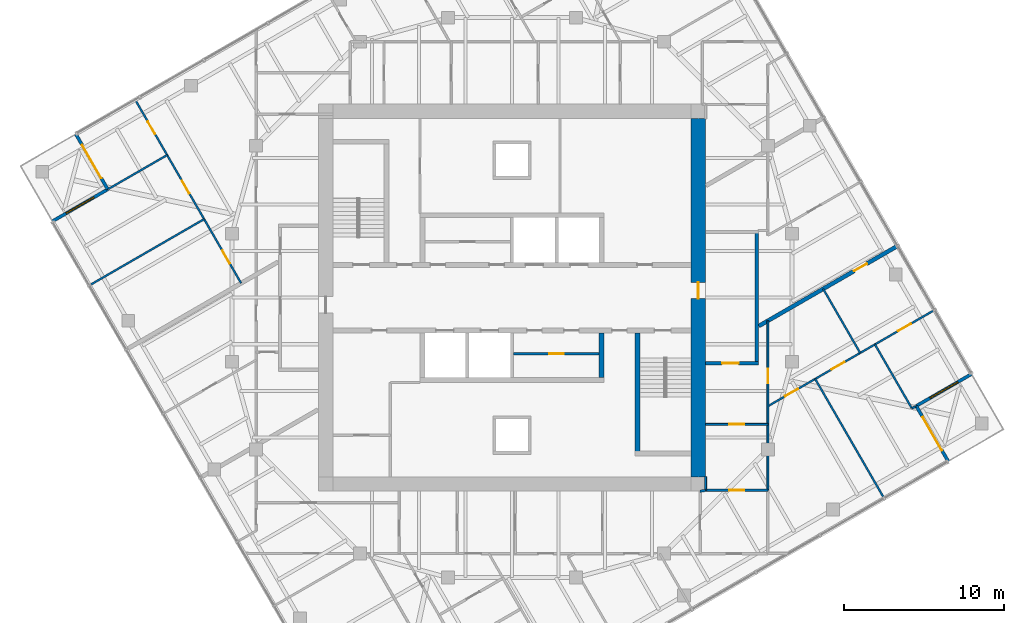
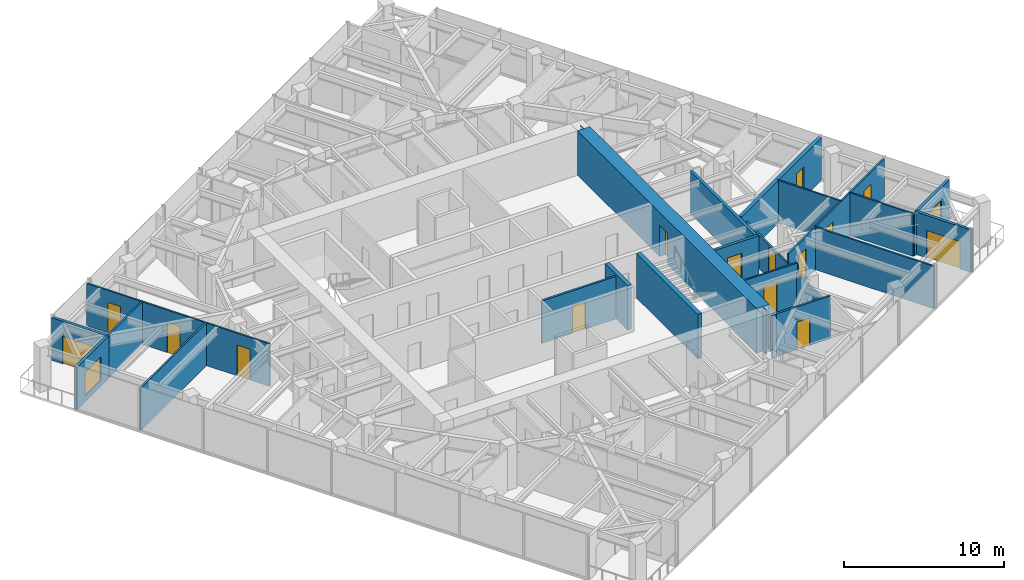
# One storey, part 9 of 12: 24 walls, 15 doors, 2 windows, 17 openings.
"""IFC4 building model written with IfcOpenShell, lengths in metres."""

from ifc_helpers import new_model, si_unit, direction, frame, frame_2d, origin, place, context, subcontext, project, spatial, polyline, rectangle, outline, extrude, material, layer, layer_set, type_object, element, fill, save


model = new_model("IFC4")

# Units and contexts
model_context = context("Model", 3, precision=1e-05, world=origin(), true_north=direction((0.0, 1.0)))
body_context = subcontext(model_context, "Body", "Model", "MODEL_VIEW")
ifc_project = project(units=[si_unit("LENGTHUNIT", "METRE"), si_unit("AREAUNIT", "SQUARE_METRE"), si_unit("VOLUMEUNIT", "CUBIC_METRE"), si_unit("PLANEANGLEUNIT", "RADIAN"), si_unit("MASSUNIT", "GRAM", prefix="KILO")], contexts=[model_context])

# Site, building, storey
site_placement = place(None, origin())
site = spatial("IfcSite", under=ifc_project, at=site_placement, CompositionType="ELEMENT")
building_placement = place(site_placement, origin())
building = spatial("IfcBuilding", under=site, at=building_placement, Name="Torsade Residences", CompositionType="ELEMENT")
storey_placement = place(building_placement, frame((0.0, 0.0, 221.800048828125)))
storey = spatial("IfcBuildingStorey", under=building, at=storey_placement, Name="L61", CompositionType="ELEMENT", Elevation=221.800048828125)

# Walls
ifc_material_1 = material(Name="Concrete 80 MPa", Category="concrete")
ifc_layer_1 = layer(ifc_material_1, 0.300048828125)
ifc_layer_set_1 = layer_set([ifc_layer_1], Name="Concrete 80 MPa")
wall_type_1 = type_object("IfcWallType", Name="CORE INTERNAL WALL 300", PredefinedType="SHEAR", material=ifc_layer_set_1)
wall_1_placement = place(storey_placement, frame((45.60009765625, 27.800048828125, 0.0), z_axis=(0.0, 0.0, 1.0), x_axis=(0.0, -1.0, 0.0)))
element("IfcWall", 1, at=wall_1_placement, inside=storey, type_object=wall_type_1, Name="Core wall DS0 L61", PredefinedType="SHEAR", context=body_context, shape_type="SweptSolid", body=[
    extrude(rectangle(XDim=2.800048828125, YDim=0.300048828125, at=frame_2d((1.39990234375, 0.0))), origin(), (0.0, 0.0, 1.0), 3.39990234375),
])
wall_2_placement = place(storey_placement, frame((47.85009765625, 27.800048828125, 0.0), z_axis=(0.0, 0.0, 1.0), x_axis=(0.0, -1.0, 0.0)))
element("IfcWall", 2, at=wall_2_placement, inside=storey, type_object=wall_type_1, Name="Core wall ST2W L61", PredefinedType="SHEAR", context=body_context, shape_type="SweptSolid", body=[
    extrude(rectangle(XDim=7.699951171875, YDim=0.300048828125, at=frame_2d((3.85009765625, 0.0))), origin(), (0.0, 0.0, 1.0), 3.39990234375),
])

# Wall, opening, door
ifc_material_2 = material(Name="Concrete 80 MPa", Category="concrete")
ifc_layer_2 = layer(ifc_material_2, 0.89990234375)
ifc_layer_set_2 = layer_set([ifc_layer_2], Name="Concrete 80 MPa")
wall_type_2 = type_object("IfcWallType", Name="CORE WALL 900", PredefinedType="SHEAR", material=ifc_layer_set_2)
wall_3_placement = place(storey_placement, frame((51.64990234375, 18.800048828125, 0.0), z_axis=(0.0, 0.0, 1.0), x_axis=(0.0, 1.0, 0.0)))
wall_3 = element("IfcWall", 3, at=wall_3_placement, inside=storey, type_object=wall_type_2, Name="Core wall E L61", PredefinedType="SHEAR", context=body_context, shape_type="SweptSolid", body=[
    extrude(outline(polyline([(0.0, -0.449951171875), (22.39990234375, -0.449951171875), (22.39990234375, -0.02490234375), (22.849853515625, -0.02490234375), (22.849853515625, 0.02490234375), (22.39990234375, 0.02490234375), (22.39990234375, 0.449951171875), (0.0, 0.449951171875), (0.0, 0.02490234375), (-0.449951171875, 0.02490234375), (-0.449951171875, -0.02490234375), (0.0, -0.02490234375), (0.0, -0.449951171875)])), origin(), (0.0, 0.0, 1.0), 3.39990234375),
])
opening_1_placement = place(wall_3_placement, frame((11.139892578125, 0.0, 0.0)))
opening_1 = element("IfcOpeningElement", 4, at=opening_1_placement, cuts=wall_3, Name="Opening D04", PredefinedType="OPENING", context=body_context, shape_type="SweptSolid", body=[
    extrude(rectangle(XDim=1.02001953125, YDim=2.39990234375, at=frame_2d((0.510009765625, 1.199951171875))), frame((0.0, 0.4599609375, 0.0), z_axis=(0.0, -1.0, 0.0), x_axis=(1.0, 0.0, 0.0)), (0.0, 0.0, 1.0), 0.919921875),
])
ifc_material_3 = material(Name="Steel-framed fire door", Category="steel")
door_type_1 = type_object("IfcDoorType", Name="LOBBY SMOKE DOOR 1020x2400", OperationType="NOTDEFINED", PredefinedType="DOOR", material=ifc_material_3)
door_1_placement = place(opening_1_placement, origin())
door_1 = element("IfcDoor", 5, at=door_1_placement, inside=storey, type_object=door_type_1, Name="Lift lobby door E L61", OperationType="SINGLE_SWING_LEFT", OverallHeight=2.39990234375, OverallWidth=1.02001953125, PredefinedType="DOOR", context=body_context, shape_type="SweptSolid", body=[
    extrude(rectangle(XDim=1.02001953125, YDim=2.39990234375, at=frame_2d((0.510009765625, 1.199951171875))), frame((0.0, 0.02490234375, 0.0), z_axis=(0.0, -1.0, 0.0), x_axis=(1.0, 0.0, 0.0)), (0.0, 0.0, 1.0), 0.050048828125),
])
fill(opening_1, door_1)

# Wall
ifc_material_4 = material(Name="Plasterboard on steel stud", Category="steel")
ifc_layer_3 = layer(ifc_material_4, 0.199951171875)
ifc_layer_set_3 = layer_set([ifc_layer_3], Name="Plasterboard on steel stud")
wall_type_3 = type_object("IfcWallType", Name="CORRIDOR WALL 200", PredefinedType="PARTITIONING", material=ifc_layer_set_3)
wall_4_placement = place(storey_placement, frame((55.300048828125, 25.89990234375, 0.0), z_axis=(0.0, 0.0, 1.0), x_axis=(0.0, 1.0, 0.0)))
element("IfcWall", 6, at=wall_4_placement, inside=storey, type_object=wall_type_3, Name="Corridor wall L61", PredefinedType="PARTITIONING", context=body_context, shape_type="SweptSolid", body=[
    extrude(rectangle(XDim=8.2001953125, YDim=0.199951171875, at=frame_2d((4.10009765625, 0.0))), origin(), (0.0, 0.0, 1.0), 3.25),
])

# Wall, opening, door
wall_5_placement = place(storey_placement, frame((52.10009765625, 25.89990234375, 0.0), z_axis=(0.0, 0.0, 1.0), x_axis=(1.0, 0.0, 0.0)))
wall_5 = element("IfcWall", 7, at=wall_5_placement, inside=storey, type_object=wall_type_3, Name="Corridor wall L61", PredefinedType="PARTITIONING", context=body_context, shape_type="SweptSolid", body=[
    extrude(rectangle(XDim=3.2998046875, YDim=0.199951171875, at=frame_2d((1.64990234375, 0.0))), origin(), (0.0, 0.0, 1.0), 3.25),
])
opening_2_placement = place(wall_5_placement, frame((1.0400390625, 0.0, 0.0)))
opening_2 = element("IfcOpeningElement", 8, at=opening_2_placement, cuts=wall_5, Name="Opening D01", PredefinedType="OPENING", context=body_context, shape_type="SweptSolid", body=[
    extrude(rectangle(XDim=1.02001953125, YDim=2.340087890625, at=frame_2d((0.510009765625, 1.169921875))), frame((0.0, 0.10986328125, 0.0), z_axis=(0.0, -1.0, 0.0), x_axis=(1.0, 0.0, 0.0)), (0.0, 0.0, 1.0), 0.219970703125),
])
ifc_material_5 = material(Name="Solid-core timber fire door", Category="wood")
door_type_2 = type_object("IfcDoorType", Name="APARTMENT ENTRY DOOR 1020x2340", OperationType="NOTDEFINED", PredefinedType="DOOR", material=ifc_material_5)
door_2_placement = place(opening_2_placement, origin())
door_2 = element("IfcDoor", 9, at=door_2_placement, inside=storey, type_object=door_type_2, Name="Door Residential corridor to Kitchen and dining", OperationType="SINGLE_SWING_LEFT", OverallHeight=2.340087890625, OverallWidth=1.02001953125, PredefinedType="DOOR", context=body_context, shape_type="SweptSolid", body=[
    extrude(rectangle(XDim=1.02001953125, YDim=2.340087890625, at=frame_2d((0.510009765625, 1.169921875))), frame((0.0, 0.02490234375, 0.0), z_axis=(0.0, -1.0, 0.0), x_axis=(1.0, 0.0, 0.0)), (0.0, 0.0, 1.0), 0.050048828125),
])
fill(opening_2, door_2)

ifc_material_6 = material(Name="Plasterboard on steel stud", Category="steel")
ifc_layer_4 = layer(ifc_material_6, 0.1201171875)
ifc_layer_set_4 = layer_set([ifc_layer_4], Name="Plasterboard on steel stud")
wall_type_4 = type_object("IfcWallType", Name="PARTITION 120", PredefinedType="PARTITIONING", material=ifc_layer_set_4)
wall_6_placement = place(storey_placement, frame((56.0, 22.08251953125, 0.0), z_axis=(0.0, 0.0, 1.0), x_axis=(-1.0, 0.0, 0.0)))
wall_6 = element("IfcWall", 10, at=wall_6_placement, inside=storey, type_object=wall_type_4, Name="Partition L61", PredefinedType="PARTITIONING", context=body_context, shape_type="SweptSolid", body=[
    extrude(rectangle(XDim=3.89990234375, YDim=0.1201171875, at=frame_2d((1.949951171875, 0.0))), origin(), (0.0, 0.0, 1.0), 3.25),
])
opening_3_placement = place(wall_6_placement, frame((1.489990234375, 0.0, 0.0)))
opening_3 = element("IfcOpeningElement", 11, at=opening_3_placement, cuts=wall_6, Name="Opening D02", PredefinedType="OPENING", context=body_context, shape_type="SweptSolid", body=[
    extrude(rectangle(XDim=0.919921875, YDim=2.340087890625, at=frame_2d((0.4599609375, 1.169921875))), frame((0.0, 0.070068359375, 0.0), z_axis=(0.0, -1.0, 0.0), x_axis=(1.0, 0.0, 0.0)), (0.0, 0.0, 1.0), 0.14013671875),
])
ifc_material_7 = material(Name="Hollow-core timber door", Category="wood")
door_type_3 = type_object("IfcDoorType", Name="INTERNAL DOOR 920x2340", OperationType="NOTDEFINED", PredefinedType="DOOR", material=ifc_material_7)
door_3_placement = place(opening_3_placement, origin())
door_3 = element("IfcDoor", 12, at=door_3_placement, inside=storey, type_object=door_type_3, Name="Door Kitchen and dining to Study", OperationType="SINGLE_SWING_LEFT", OverallHeight=2.340087890625, OverallWidth=0.919921875, PredefinedType="DOOR", context=body_context, shape_type="SweptSolid", body=[
    extrude(rectangle(XDim=0.919921875, YDim=2.340087890625, at=frame_2d((0.4599609375, 1.169921875))), frame((0.0, 0.02490234375, 0.0), z_axis=(0.0, -1.0, 0.0), x_axis=(1.0, 0.0, 0.0)), (0.0, 0.0, 1.0), 0.050048828125),
])
fill(opening_3, door_3)

wall_7_placement = place(storey_placement, frame((56.0, 28.556640625, 0.0), z_axis=(0.0, 0.0, 1.0), x_axis=(0.0, -1.0, 0.0)))
wall_7 = element("IfcWall", 13, at=wall_7_placement, inside=storey, type_object=wall_type_4, Name="Partition L61", PredefinedType="PARTITIONING", context=body_context, shape_type="SweptSolid", body=[
    extrude(rectangle(XDim=10.6005859375, YDim=0.1201171875, at=frame_2d((5.30029296875, 0.0))), origin(), (0.0, 0.0, 1.0), 2.550048828125),
])
opening_4_placement = place(wall_7_placement, frame((2.989013671875, 0.0, 0.0)))
opening_4 = element("IfcOpeningElement", 14, at=opening_4_placement, cuts=wall_7, Name="Opening D02", PredefinedType="OPENING", context=body_context, shape_type="SweptSolid", body=[
    extrude(rectangle(XDim=0.919921875, YDim=2.340087890625, at=frame_2d((0.4599609375, 1.169921875))), frame((0.0, 0.070068359375, 0.0), z_axis=(0.0, -1.0, 0.0), x_axis=(1.0, 0.0, 0.0)), (0.0, 0.0, 1.0), 0.14013671875),
])
door_4_placement = place(opening_4_placement, origin())
door_4 = element("IfcDoor", 15, at=door_4_placement, inside=storey, type_object=door_type_3, Name="Door Kitchen and dining to Living room 2", OperationType="SINGLE_SWING_RIGHT", OverallHeight=2.340087890625, OverallWidth=0.919921875, PredefinedType="DOOR", context=body_context, shape_type="SweptSolid", body=[
    extrude(rectangle(XDim=0.919921875, YDim=2.340087890625, at=frame_2d((0.4599609375, 1.169921875))), frame((0.0, 0.02490234375, 0.0), z_axis=(0.0, -1.0, 0.0), x_axis=(1.0, 0.0, 0.0)), (0.0, 0.0, 1.0), 0.050048828125),
])
fill(opening_4, door_4)

# Walls
wall_8_placement = place(storey_placement, frame((52.10009765625, 17.9560546875, 0.0), z_axis=(0.0, 0.0, 1.0), x_axis=(0.0, 1.0, 0.0)))
element("IfcWall", 16, at=wall_8_placement, inside=storey, type_object=wall_type_4, Name="Partition L61", PredefinedType="PARTITIONING", context=body_context, shape_type="SweptSolid", body=[
    extrude(rectangle(XDim=0.864013671875, YDim=0.1201171875, at=frame_2d((0.43212890625, 0.0))), origin(), (0.0, 0.0, 1.0), 3.25),
])
wall_9_placement = place(storey_placement, frame((58.95361328125, 24.92138671875, 0.0), z_axis=(0.0, 0.0, 1.0), x_axis=(0.49999898161, -0.866025991751, 0.0)))
element("IfcWall", 17, at=wall_9_placement, inside=storey, type_object=wall_type_4, Name="Partition L61", PredefinedType="PARTITIONING", context=body_context, shape_type="SweptSolid", body=[
    extrude(rectangle(XDim=8.5849609375, YDim=0.1201171875, at=frame_2d((4.29248046875, 0.0))), origin(), (0.0, 0.0, 1.0), 3.25),
])

# Wall, openings, doors
wall_10_placement = place(storey_placement, frame((56.0, 23.216064453125, 0.0), z_axis=(0.0, 0.0, 1.0), x_axis=(0.866023917076, 0.500002575046, 0.0)))
wall_10 = element("IfcWall", 18, at=wall_10_placement, inside=storey, type_object=wall_type_4, Name="Partition L61", PredefinedType="PARTITIONING", context=body_context, shape_type="SweptSolid", body=[
    extrude(rectangle(XDim=11.99560546875, YDim=0.1201171875, at=frame_2d((5.997802734375, 0.0))), origin(), (0.0, 0.0, 1.0), 3.25),
])
opening_5_placement = place(wall_10_placement, frame((1.245361328125, 0.0, 0.0)))
opening_5 = element("IfcOpeningElement", 19, at=opening_5_placement, cuts=wall_10, Name="Opening D02", PredefinedType="OPENING", context=body_context, shape_type="SweptSolid", body=[
    extrude(rectangle(XDim=0.919921875, YDim=2.340087890625, at=frame_2d((0.4599609375, 1.169921875))), frame((0.0, 0.070068359375, 0.0), z_axis=(0.0, -1.0, 0.0), x_axis=(1.0, 0.0, 0.0)), (0.0, 0.0, 1.0), 0.14013671875),
])
opening_6_placement = place(wall_10_placement, frame((4.59912109375, 0.0, 0.0)))
opening_6 = element("IfcOpeningElement", 20, at=opening_6_placement, cuts=wall_10, Name="Opening D02", PredefinedType="OPENING", context=body_context, shape_type="SweptSolid", body=[
    extrude(rectangle(XDim=0.919921875, YDim=2.340087890625, at=frame_2d((0.4599609375, 1.169921875))), frame((0.0, 0.070068359375, 0.0), z_axis=(0.0, -1.0, 0.0), x_axis=(1.0, 0.0, 0.0)), (0.0, 0.0, 1.0), 0.14013671875),
])
opening_7_placement = place(wall_10_placement, frame((9.394287109375, 0.0, 0.0)))
opening_7 = element("IfcOpeningElement", 21, at=opening_7_placement, cuts=wall_10, Name="Opening D02", PredefinedType="OPENING", context=body_context, shape_type="SweptSolid", body=[
    extrude(rectangle(XDim=0.919921875, YDim=2.340087890625, at=frame_2d((0.4599609375, 1.169921875))), frame((0.0, 0.070068359375, 0.0), z_axis=(0.0, -1.0, 0.0), x_axis=(1.0, 0.0, 0.0)), (0.0, 0.0, 1.0), 0.14013671875),
])
door_5_placement = place(opening_5_placement, origin())
door_5 = element("IfcDoor", 22, at=door_5_placement, inside=storey, type_object=door_type_3, Name="Door Living room 2 to Principal bedroom", OperationType="SINGLE_SWING_RIGHT", OverallHeight=2.340087890625, OverallWidth=0.919921875, PredefinedType="DOOR", context=body_context, shape_type="SweptSolid", body=[
    extrude(rectangle(XDim=0.919921875, YDim=2.340087890625, at=frame_2d((0.4599609375, 1.169921875))), frame((0.0, 0.02490234375, 0.0), z_axis=(0.0, -1.0, 0.0), x_axis=(1.0, 0.0, 0.0)), (0.0, 0.0, 1.0), 0.050048828125),
])
fill(opening_5, door_5)
door_6_placement = place(opening_6_placement, origin())
door_6 = element("IfcDoor", 23, at=door_6_placement, inside=storey, type_object=door_type_3, Name="Door Living room 2 to Bedroom 2", OperationType="SINGLE_SWING_RIGHT", OverallHeight=2.340087890625, OverallWidth=0.919921875, PredefinedType="DOOR", context=body_context, shape_type="SweptSolid", body=[
    extrude(rectangle(XDim=0.919921875, YDim=2.340087890625, at=frame_2d((0.4599609375, 1.169921875))), frame((0.0, 0.02490234375, 0.0), z_axis=(0.0, -1.0, 0.0), x_axis=(1.0, 0.0, 0.0)), (0.0, 0.0, 1.0), 0.050048828125),
])
fill(opening_6, door_6)
door_7_placement = place(opening_7_placement, origin())
door_7 = element("IfcDoor", 24, at=door_7_placement, inside=storey, type_object=door_type_3, Name="Door Study 2 to Media room 2", OperationType="SINGLE_SWING_LEFT", OverallHeight=2.340087890625, OverallWidth=0.919921875, PredefinedType="DOOR", context=body_context, shape_type="SweptSolid", body=[
    extrude(rectangle(XDim=0.919921875, YDim=2.340087890625, at=frame_2d((0.4599609375, 1.169921875))), frame((0.0, 0.02490234375, 0.0), z_axis=(0.0, -1.0, 0.0), x_axis=(1.0, 0.0, 0.0)), (0.0, 0.0, 1.0), 0.050048828125),
])
fill(opening_7, door_7)

# Walls
wall_11_placement = place(storey_placement, frame((62.688232421875, 27.07763671875, 0.0), z_axis=(0.0, 0.0, 1.0), x_axis=(0.500007885066, -0.866020851292, 0.0)))
element("IfcWall", 25, at=wall_11_placement, inside=storey, type_object=wall_type_4, Name="Partition L61", PredefinedType="PARTITIONING", context=body_context, shape_type="SweptSolid", body=[
    extrude(rectangle(XDim=4.615234375, YDim=0.1201171875, at=frame_2d((2.3076171875, 0.0))), origin(), (0.0, 0.0, 1.0), 3.25),
])
wall_12_placement = place(storey_placement, frame((65.009521484375, 23.0771484375, 0.0), z_axis=(0.0, 0.0, 1.0), x_axis=(0.865829262097, 0.500339573586, 0.0)))
element("IfcWall", 26, at=wall_12_placement, inside=storey, type_object=wall_type_4, Name="Partition L61", PredefinedType="PARTITIONING", context=body_context, shape_type="SweptSolid", body=[
    extrude(rectangle(XDim=0.262451171875, YDim=0.1201171875, at=frame_2d((0.13134765625, 0.0))), origin(), (0.0, 0.0, 1.0), 3.25),
])
wall_13_placement = place(storey_placement, frame((61.765625, 26.544921875, 0.0), z_axis=(0.0, 0.0, 1.0), x_axis=(-0.499999662836, 0.866025598446, 0.0)))
element("IfcWall", 27, at=wall_13_placement, inside=storey, type_object=wall_type_4, Name="Partition L61", PredefinedType="PARTITIONING", context=body_context, shape_type="SweptSolid", body=[
    extrude(rectangle(XDim=4.625, YDim=0.1201171875, at=frame_2d((2.3125, 0.0))), origin(), (0.0, 0.0, 1.0), 3.25),
])

# Wall, openings, doors
wall_14_placement = place(storey_placement, frame((23.06689453125, 30.904541015625, 0.0), z_axis=(0.0, 0.0, 1.0), x_axis=(-0.499999220117, 0.86602585405, 0.0)))
wall_14 = element("IfcWall", 28, at=wall_14_placement, inside=storey, type_object=wall_type_4, Name="Partition L61", PredefinedType="PARTITIONING", context=body_context, shape_type="SweptSolid", body=[
    extrude(rectangle(XDim=13.2099609375, YDim=0.1201171875, at=frame_2d((6.60498046875, 0.0))), origin(), (0.0, 0.0, 1.0), 3.25),
])
opening_8_placement = place(wall_14_placement, frame((6.4775390625, 0.0, 0.0)))
opening_8 = element("IfcOpeningElement", 29, at=opening_8_placement, cuts=wall_14, Name="Opening D02", PredefinedType="OPENING", context=body_context, shape_type="SweptSolid", body=[
    extrude(rectangle(XDim=0.919921875, YDim=2.340087890625, at=frame_2d((0.4599609375, 1.169921875))), frame((0.0, 0.070068359375, 0.0), z_axis=(0.0, -1.0, 0.0), x_axis=(1.0, 0.0, 0.0)), (0.0, 0.0, 1.0), 0.14013671875),
])
opening_9_placement = place(wall_14_placement, frame((1.427490234375, 0.0, 0.0)))
opening_9 = element("IfcOpeningElement", 30, at=opening_9_placement, cuts=wall_14, Name="Opening D02", PredefinedType="OPENING", context=body_context, shape_type="SweptSolid", body=[
    extrude(rectangle(XDim=0.919921875, YDim=2.340087890625, at=frame_2d((0.4599609375, 1.169921875))), frame((0.0, 0.070068359375, 0.0), z_axis=(0.0, -1.0, 0.0), x_axis=(1.0, 0.0, 0.0)), (0.0, 0.0, 1.0), 0.14013671875),
])
opening_10_placement = place(wall_14_placement, frame((10.76513671875, 0.0, 0.0)))
opening_10 = element("IfcOpeningElement", 31, at=opening_10_placement, cuts=wall_14, Name="Opening D02", PredefinedType="OPENING", context=body_context, shape_type="SweptSolid", body=[
    extrude(rectangle(XDim=0.919921875, YDim=2.340087890625, at=frame_2d((0.4599609375, 1.169921875))), frame((0.0, 0.070068359375, 0.0), z_axis=(0.0, -1.0, 0.0), x_axis=(1.0, 0.0, 0.0)), (0.0, 0.0, 1.0), 0.14013671875),
])
door_8_placement = place(opening_8_placement, origin())
door_8 = element("IfcDoor", 32, at=door_8_placement, inside=storey, type_object=door_type_3, Name="Door Living room to Bedroom 4", OperationType="SINGLE_SWING_RIGHT", OverallHeight=2.340087890625, OverallWidth=0.919921875, PredefinedType="DOOR", context=body_context, shape_type="SweptSolid", body=[
    extrude(rectangle(XDim=0.919921875, YDim=2.340087890625, at=frame_2d((0.4599609375, 1.169921875))), frame((0.0, 0.02490234375, 0.0), z_axis=(0.0, -1.0, 0.0), x_axis=(1.0, 0.0, 0.0)), (0.0, 0.0, 1.0), 0.050048828125),
])
fill(opening_8, door_8)
door_9_placement = place(opening_9_placement, origin())
door_9 = element("IfcDoor", 33, at=door_9_placement, inside=storey, type_object=door_type_3, Name="Door Living room to Bedroom 3", OperationType="SINGLE_SWING_LEFT", OverallHeight=2.340087890625, OverallWidth=0.919921875, PredefinedType="DOOR", context=body_context, shape_type="SweptSolid", body=[
    extrude(rectangle(XDim=0.919921875, YDim=2.340087890625, at=frame_2d((0.4599609375, 1.169921875))), frame((0.0, 0.02490234375, 0.0), z_axis=(0.0, -1.0, 0.0), x_axis=(1.0, 0.0, 0.0)), (0.0, 0.0, 1.0), 0.050048828125),
])
fill(opening_9, door_9)
door_10_placement = place(opening_10_placement, origin())
door_10 = element("IfcDoor", 34, at=door_10_placement, inside=storey, type_object=door_type_3, Name="Door Living room to Family room 2", OperationType="SINGLE_SWING_LEFT", OverallHeight=2.340087890625, OverallWidth=0.919921875, PredefinedType="DOOR", context=body_context, shape_type="SweptSolid", body=[
    extrude(rectangle(XDim=0.919921875, YDim=2.340087890625, at=frame_2d((0.4599609375, 1.169921875))), frame((0.0, 0.02490234375, 0.0), z_axis=(0.0, -1.0, 0.0), x_axis=(1.0, 0.0, 0.0)), (0.0, 0.0, 1.0), 0.050048828125),
])
fill(opening_10, door_10)

# Walls
wall_15_placement = place(storey_placement, frame((13.611572265625, 30.7861328125, 0.0), z_axis=(0.0, 0.0, 1.0), x_axis=(0.866032284491, 0.499988082077, 0.0)))
element("IfcWall", 35, at=wall_15_placement, inside=storey, type_object=wall_type_4, Name="Partition L61", PredefinedType="PARTITIONING", context=body_context, shape_type="SweptSolid", body=[
    extrude(rectangle(XDim=8.247802734375, YDim=0.1201171875, at=frame_2d((4.1240234375, 0.0))), origin(), (0.0, 0.0, 1.0), 3.25),
])
wall_16_placement = place(storey_placement, frame((14.76318359375, 36.79150390625, 0.0), z_axis=(0.0, 0.0, 1.0), x_axis=(0.86603819212, 0.4999778493, 0.0)))
element("IfcWall", 36, at=wall_16_placement, inside=storey, type_object=wall_type_4, Name="Partition L61", PredefinedType="PARTITIONING", context=body_context, shape_type="SweptSolid", body=[
    extrude(rectangle(XDim=4.247802734375, YDim=0.1201171875, at=frame_2d((2.1240234375, 0.0))), origin(), (0.0, 0.0, 1.0), 3.25),
])

# Wall, opening, door
ifc_material_8 = material(Name="Masonry-lined stud party wall", Category="masonry")
ifc_layer_5 = layer(ifc_material_8, 0.25)
ifc_layer_set_5 = layer_set([ifc_layer_5], Name="Masonry-lined stud party wall")
wall_type_5 = type_object("IfcWallType", Name="PARTY WALL 250", PredefinedType="PARTITIONING", material=ifc_layer_set_5)
wall_17_placement = place(storey_placement, frame((64.110595703125, 33.2392578125, 0.0), z_axis=(0.0, 0.0, 1.0), x_axis=(-0.866024190901, -0.50000210077, 0.0)))
wall_17 = element("IfcWall", 37, at=wall_17_placement, inside=storey, type_object=wall_type_5, Name="Party wall L61", PredefinedType="PARTITIONING", context=body_context, shape_type="SweptSolid", body=[
    extrude(rectangle(XDim=10.02587890625, YDim=0.25, at=frame_2d((5.012939453125, 0.0))), origin(), (0.0, 0.0, 1.0), 3.25),
])
opening_11_placement = place(wall_17_placement, frame((2.22900390625, 0.0, 0.0)))
opening_11 = element("IfcOpeningElement", 38, at=opening_11_placement, cuts=wall_17, Name="Opening D02", PredefinedType="OPENING", context=body_context, shape_type="SweptSolid", body=[
    extrude(rectangle(XDim=0.919921875, YDim=2.340087890625, at=frame_2d((0.4599609375, 1.169921875))), frame((0.0, 0.135009765625, 0.0), z_axis=(0.0, -1.0, 0.0), x_axis=(1.0, 0.0, 0.0)), (0.0, 0.0, 1.0), 0.27001953125),
])
door_11_placement = place(opening_11_placement, origin())
door_11 = element("IfcDoor", 39, at=door_11_placement, inside=storey, type_object=door_type_3, Name="Door Living room 2 to Study 2", OperationType="SINGLE_SWING_RIGHT", OverallHeight=2.340087890625, OverallWidth=0.919921875, PredefinedType="DOOR", context=body_context, shape_type="SweptSolid", body=[
    extrude(rectangle(XDim=0.919921875, YDim=2.340087890625, at=frame_2d((0.4599609375, 1.169921875))), frame((0.0, 0.02490234375, 0.0), z_axis=(0.0, -1.0, 0.0), x_axis=(1.0, 0.0, 0.0)), (0.0, 0.0, 1.0), 0.050048828125),
])
fill(opening_11, door_11)

ifc_material_9 = material(Name="Reinforced blockwork", Category="masonry")
ifc_layer_6 = layer(ifc_material_9, 0.14990234375)
ifc_layer_set_6 = layer_set([ifc_layer_6], Name="Reinforced blockwork")
wall_type_6 = type_object("IfcWallType", Name="SERVICE ROOM WALL 150", PredefinedType="SOLIDWALL", material=ifc_layer_set_6)
wall_18_placement = place(storey_placement, frame((56.0, 17.9560546875, 0.0), z_axis=(0.0, 0.0, 1.0), x_axis=(-1.0, 0.0, 0.0)))
wall_18 = element("IfcWall", 40, at=wall_18_placement, inside=storey, type_object=wall_type_6, Name="Service room wall L61", PredefinedType="SOLIDWALL", context=body_context, shape_type="SweptSolid", body=[
    extrude(rectangle(XDim=3.89990234375, YDim=0.14990234375, at=frame_2d((1.949951171875, 0.0))), origin(), (0.0, 0.0, 1.0), 3.25),
])
opening_12_placement = place(wall_18_placement, frame((1.489990234375, 0.0, 0.0)))
opening_12 = element("IfcOpeningElement", 41, at=opening_12_placement, cuts=wall_18, Name="Opening D02L", PredefinedType="OPENING", context=body_context, shape_type="SweptSolid", body=[
    extrude(rectangle(XDim=0.919921875, YDim=2.10009765625, at=frame_2d((0.4599609375, 1.050048828125))), frame((0.0, 0.0849609375, 0.0), z_axis=(0.0, -1.0, 0.0), x_axis=(1.0, 0.0, 0.0)), (0.0, 0.0, 1.0), 0.169921875),
])
ifc_material_10 = material(Name="Hollow-core timber door", Category="wood")
door_type_4 = type_object("IfcDoorType", Name="INTERNAL DOOR 920x2100", OperationType="NOTDEFINED", PredefinedType="DOOR", material=ifc_material_10)
door_12_placement = place(opening_12_placement, origin())
door_12 = element("IfcDoor", 42, at=door_12_placement, inside=storey, type_object=door_type_4, Name="Door Study to Linen store", OperationType="SINGLE_SWING_LEFT", OverallHeight=2.10009765625, OverallWidth=0.919921875, PredefinedType="DOOR", context=body_context, shape_type="SweptSolid", body=[
    extrude(rectangle(XDim=0.919921875, YDim=2.10009765625, at=frame_2d((0.4599609375, 1.050048828125))), frame((0.0, 0.02490234375, 0.0), z_axis=(0.0, -1.0, 0.0), x_axis=(1.0, 0.0, 0.0)), (0.0, 0.0, 1.0), 0.050048828125),
])
fill(opening_12, door_12)

# Wall
wall_19_placement = place(storey_placement, frame((51.757080078125, 17.89990234375, 0.0), z_axis=(0.0, 0.0, 1.0), x_axis=(0.986864404584, 0.161550756622, 0.0)))
element("IfcWall", 43, at=wall_19_placement, inside=storey, type_object=wall_type_6, Name="Service room wall L61", PredefinedType="SOLIDWALL", context=body_context, shape_type="SweptSolid", body=[
    extrude(rectangle(XDim=0.34765625, YDim=0.14990234375, at=frame_2d((0.173828125, 0.0))), origin(), (0.0, 0.0, 1.0), 3.25),
])

# Wall, opening, door
wall_20_placement = place(storey_placement, frame((40.10009765625, 26.5, 0.0), z_axis=(0.0, 0.0, 1.0), x_axis=(1.0, 0.0, 0.0)))
wall_20 = element("IfcWall", 44, at=wall_20_placement, inside=storey, type_object=wall_type_6, Name="Service room wall L61", PredefinedType="SOLIDWALL", context=body_context, shape_type="SweptSolid", body=[
    extrude(rectangle(XDim=5.349853515625, YDim=0.14990234375, at=frame_2d((2.6748046875, 0.0))), origin(), (0.0, 0.0, 1.0), 3.25),
])
opening_13_placement = place(wall_20_placement, frame((2.215087890625, 0.0, 0.0)))
opening_13 = element("IfcOpeningElement", 45, at=opening_13_placement, cuts=wall_20, Name="Opening D06", PredefinedType="OPENING", context=body_context, shape_type="SweptSolid", body=[
    extrude(rectangle(XDim=0.919921875, YDim=2.10009765625, at=frame_2d((0.4599609375, 1.050048828125))), frame((0.0, 0.0849609375, 0.0), z_axis=(0.0, -1.0, 0.0), x_axis=(1.0, 0.0, 0.0)), (0.0, 0.0, 1.0), 0.169921875),
])
ifc_material_11 = material(Name="Steel-framed fire door", Category="steel")
door_type_5 = type_object("IfcDoorType", Name="FIRE DOOR 920", OperationType="NOTDEFINED", PredefinedType="DOOR", material=ifc_material_11)
door_13_placement = place(opening_13_placement, origin())
door_13 = element("IfcDoor", 46, at=door_13_placement, inside=storey, type_object=door_type_5, Name="Door IT equipment room L61C to Records store L61D", OperationType="SINGLE_SWING_LEFT", OverallHeight=2.10009765625, OverallWidth=0.919921875, PredefinedType="DOOR", context=body_context, shape_type="SweptSolid", body=[
    extrude(rectangle(XDim=0.919921875, YDim=2.10009765625, at=frame_2d((0.4599609375, 1.050048828125))), frame((0.0, 0.02490234375, 0.0), z_axis=(0.0, -1.0, 0.0), x_axis=(1.0, 0.0, 0.0)), (0.0, 0.0, 1.0), 0.050048828125),
])
fill(opening_13, door_13)

ifc_material_12 = material(Name="Stone-faced precast concrete 40 MPa panel", Category="masonry")
ifc_layer_7 = layer(ifc_material_12, 0.199951171875)
ifc_layer_set_7 = layer_set([ifc_layer_7], Name="Stone-faced precast concrete 40 MPa panel")
wall_type_7 = type_object("IfcWallType", Name="TERRACE WALL 200", PredefinedType="SOLIDWALL", material=ifc_layer_set_7)
wall_21_placement = place(storey_placement, frame((67.271484375, 19.764404296875, 0.0), z_axis=(0.0, 0.0, 1.0), x_axis=(-0.49999894854, 0.866026010844, 0.0)))
wall_21 = element("IfcWall", 47, at=wall_21_placement, inside=storey, type_object=wall_type_7, Name="Terrace wall L61 2", PredefinedType="SOLIDWALL", context=body_context, shape_type="SweptSolid", body=[
    extrude(rectangle(XDim=4.0, YDim=0.199951171875, at=frame_2d((2.0, 0.0))), origin(), (0.0, 0.0, 1.0), 3.25),
])
opening_14_placement = place(wall_21_placement, frame((0.800048828125, 0.0, 0.0)))
opening_14 = element("IfcOpeningElement", 48, at=opening_14_placement, cuts=wall_21, Name="Opening D10A", PredefinedType="OPENING", context=body_context, shape_type="SweptSolid", body=[
    extrude(rectangle(XDim=2.39990234375, YDim=2.10009765625, at=frame_2d((1.199951171875, 1.050048828125))), frame((0.0, 0.10986328125, 0.0), z_axis=(0.0, -1.0, 0.0), x_axis=(1.0, 0.0, 0.0)), (0.0, 0.0, 1.0), 0.219970703125),
])
ifc_material_13 = material(Name="Aluminium-framed glass door", Category="aluminium")
door_type_6 = type_object("IfcDoorType", Name="TERRACE SLIDING DOOR 2400x2100", OperationType="SLIDING_TO_LEFT", PredefinedType="DOOR", material=ifc_material_13)
door_14_placement = place(opening_14_placement, origin())
door_14 = element("IfcDoor", 49, at=door_14_placement, inside=storey, type_object=door_type_6, Name="Terrace door L61 2", OperationType="SLIDING_TO_LEFT", OverallHeight=2.10009765625, OverallWidth=2.39990234375, PredefinedType="DOOR", context=body_context, shape_type="SweptSolid", body=[
    extrude(rectangle(XDim=2.39990234375, YDim=2.10009765625, at=frame_2d((1.199951171875, 1.050048828125))), frame((0.0, 0.02490234375, 0.0), z_axis=(0.0, -1.0, 0.0), x_axis=(1.0, 0.0, 0.0)), (0.0, 0.0, 1.0), 0.050048828125),
])
fill(opening_14, door_14)

# Wall, opening, window
wall_22_placement = place(storey_placement, frame((65.271484375, 23.228515625, 0.0), z_axis=(0.0, 0.0, 1.0), x_axis=(0.866026010844, 0.49999894854, 0.0)))
wall_22 = element("IfcWall", 50, at=wall_22_placement, inside=storey, type_object=wall_type_7, Name="Terrace wall L61 3", PredefinedType="SOLIDWALL", context=body_context, shape_type="SweptSolid", body=[
    extrude(rectangle(XDim=4.0, YDim=0.199951171875, at=frame_2d((2.0, 0.0))), origin(), (0.0, 0.0, 1.0), 3.25),
])
opening_15_placement = place(wall_22_placement, frame((1.0, 0.0, 0.449951171875)))
opening_15 = element("IfcOpeningElement", 51, at=opening_15_placement, cuts=wall_22, Name="Opening W1B", PredefinedType="OPENING", context=body_context, shape_type="SweptSolid", body=[
    extrude(rectangle(XDim=2.0, YDim=1.800048828125, at=frame_2d((1.0, 0.89990234375))), frame((0.0, 0.10986328125, 0.0), z_axis=(0.0, -1.0, 0.0), x_axis=(1.0, 0.0, 0.0)), (0.0, 0.0, 1.0), 0.219970703125),
])
ifc_material_14 = material(Name="Aluminium-framed glass window", Category="aluminium")
window_type = type_object("IfcWindowType", Name="TERRACE WINDOW 2000x1800", PartitioningType="SINGLE_PANEL", PredefinedType="WINDOW", material=ifc_material_14)
window_1_placement = place(opening_15_placement, origin())
window_1 = element("IfcWindow", 52, at=window_1_placement, inside=storey, type_object=window_type, Name="Terrace window L61 3", OverallHeight=1.800048828125, OverallWidth=2.0, PartitioningType="SINGLE_PANEL", PredefinedType="WINDOW", context=body_context, shape_type="SweptSolid", body=[
    extrude(rectangle(XDim=2.0, YDim=1.800048828125, at=frame_2d((1.0, 0.89990234375))), frame((0.0, 0.030029296875, 0.0), z_axis=(0.0, -1.0, 0.0), x_axis=(1.0, 0.0, 0.0)), (0.0, 0.0, 1.0), 0.06005859375),
])
fill(opening_15, window_1)

# Wall, opening, door
wall_23_placement = place(storey_placement, frame((12.728515625, 40.235595703125, 0.0), z_axis=(0.0, 0.0, 1.0), x_axis=(0.49999894854, -0.866026010844, 0.0)))
wall_23 = element("IfcWall", 53, at=wall_23_placement, inside=storey, type_object=wall_type_7, Name="Terrace wall L61 8", PredefinedType="SOLIDWALL", context=body_context, shape_type="SweptSolid", body=[
    extrude(rectangle(XDim=4.0, YDim=0.199951171875, at=frame_2d((2.0, 0.0))), origin(), (0.0, 0.0, 1.0), 3.25),
])
opening_16_placement = place(wall_23_placement, frame((0.800048828125, 0.0, 0.0)))
opening_16 = element("IfcOpeningElement", 54, at=opening_16_placement, cuts=wall_23, Name="Opening D10A", PredefinedType="OPENING", context=body_context, shape_type="SweptSolid", body=[
    extrude(rectangle(XDim=2.39990234375, YDim=2.10009765625, at=frame_2d((1.199951171875, 1.050048828125))), frame((0.0, 0.10986328125, 0.0), z_axis=(0.0, -1.0, 0.0), x_axis=(1.0, 0.0, 0.0)), (0.0, 0.0, 1.0), 0.219970703125),
])
door_15_placement = place(opening_16_placement, origin())
door_15 = element("IfcDoor", 55, at=door_15_placement, inside=storey, type_object=door_type_6, Name="Terrace door L61 8", OperationType="SLIDING_TO_LEFT", OverallHeight=2.10009765625, OverallWidth=2.39990234375, PredefinedType="DOOR", context=body_context, shape_type="SweptSolid", body=[
    extrude(rectangle(XDim=2.39990234375, YDim=2.10009765625, at=frame_2d((1.199951171875, 1.050048828125))), frame((0.0, 0.02490234375, 0.0), z_axis=(0.0, -1.0, 0.0), x_axis=(1.0, 0.0, 0.0)), (0.0, 0.0, 1.0), 0.050048828125),
])
fill(opening_16, door_15)

# Wall, opening, window
wall_24_placement = place(storey_placement, frame((14.728515625, 36.771484375, 0.0), z_axis=(0.0, 0.0, 1.0), x_axis=(-0.866026010844, -0.49999894854, 0.0)))
wall_24 = element("IfcWall", 56, at=wall_24_placement, inside=storey, type_object=wall_type_7, Name="Terrace wall L61 9", PredefinedType="SOLIDWALL", context=body_context, shape_type="SweptSolid", body=[
    extrude(rectangle(XDim=4.0, YDim=0.199951171875, at=frame_2d((2.0, 0.0))), origin(), (0.0, 0.0, 1.0), 3.25),
])
opening_17_placement = place(wall_24_placement, frame((1.0, 0.0, 0.449951171875)))
opening_17 = element("IfcOpeningElement", 57, at=opening_17_placement, cuts=wall_24, Name="Opening W1B", PredefinedType="OPENING", context=body_context, shape_type="SweptSolid", body=[
    extrude(rectangle(XDim=2.0, YDim=1.800048828125, at=frame_2d((1.0, 0.89990234375))), frame((0.0, 0.10986328125, 0.0), z_axis=(0.0, -1.0, 0.0), x_axis=(1.0, 0.0, 0.0)), (0.0, 0.0, 1.0), 0.219970703125),
])
window_2_placement = place(opening_17_placement, origin())
window_2 = element("IfcWindow", 58, at=window_2_placement, inside=storey, type_object=window_type, Name="Terrace window L61 9", OverallHeight=1.800048828125, OverallWidth=2.0, PartitioningType="SINGLE_PANEL", PredefinedType="WINDOW", context=body_context, shape_type="SweptSolid", body=[
    extrude(rectangle(XDim=2.0, YDim=1.800048828125, at=frame_2d((1.0, 0.89990234375))), frame((0.0, 0.030029296875, 0.0), z_axis=(0.0, -1.0, 0.0), x_axis=(1.0, 0.0, 0.0)), (0.0, 0.0, 1.0), 0.06005859375),
])
fill(opening_17, window_2)

save(model, "model.ifc")
